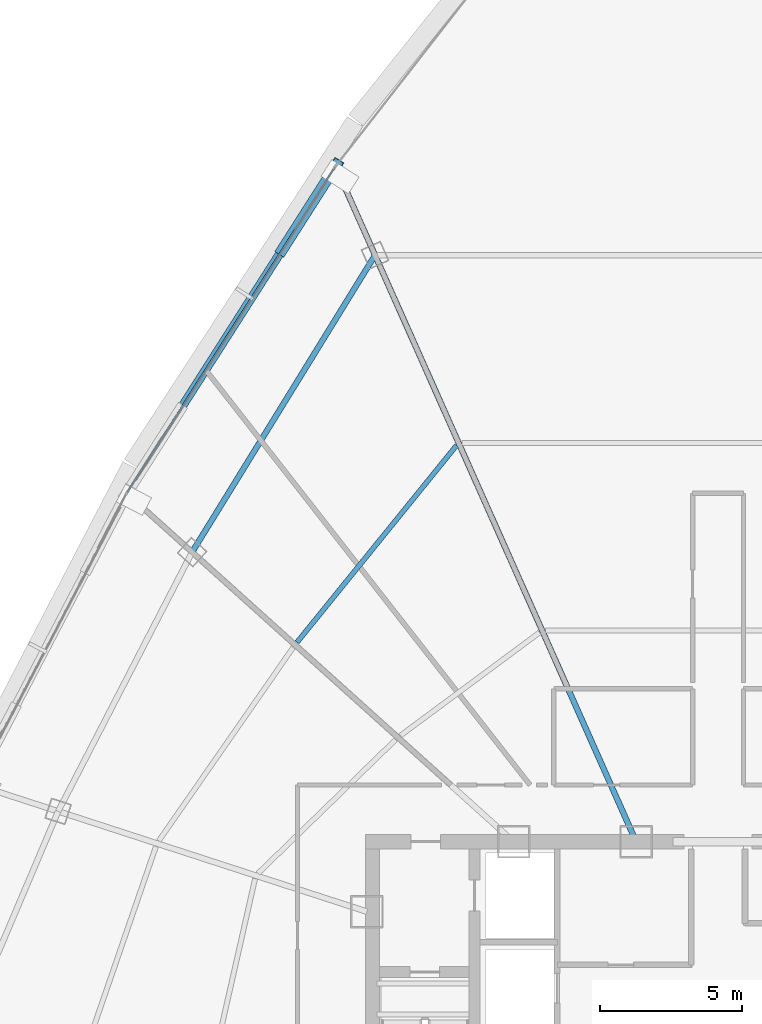
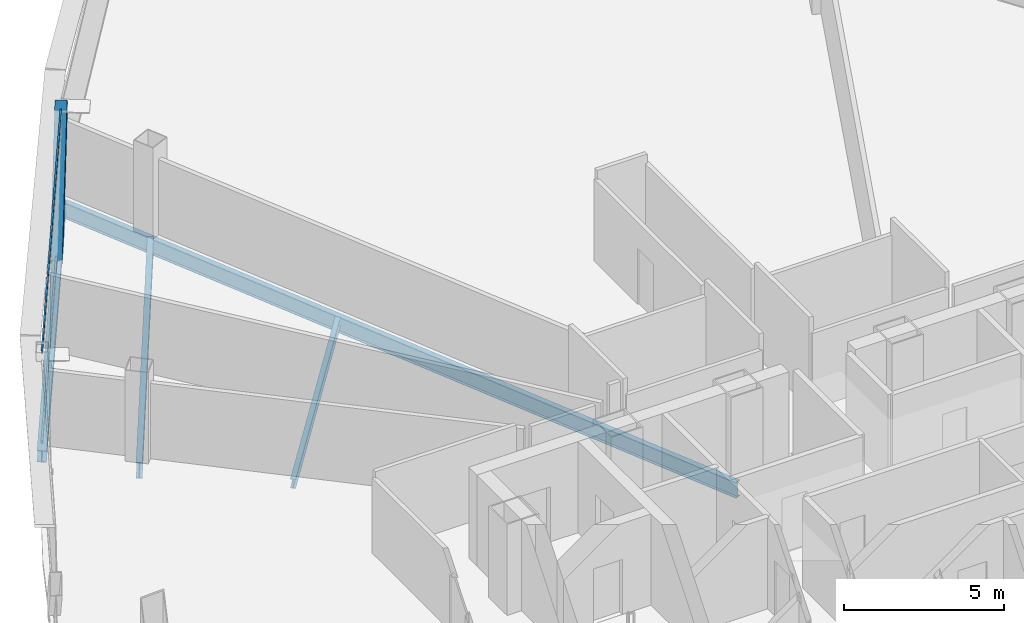
# One storey, part 19 of 39: 4 beams, 3 members, 1 element without a shape of its own.
"""IFC4 building model written with IfcOpenShell, lengths in metres."""

from ifc_helpers import new_model, si_unit, direction, frame, origin, origin_2d, place, context, subcontext, project, spatial, hollow_rectangle, i_section, extrude, source, transform, mapped, material, layer, layer_set, material_profile, profile_set, type_object, element, aggregate, save


model = new_model("IFC4")

# Units and contexts
model_context = context("Model", 3, precision=1e-05, world=origin(), true_north=direction((0.0, 1.0)))
body_context = subcontext(model_context, "Body", "Model", "MODEL_VIEW")
ifc_project = project(units=[si_unit("LENGTHUNIT", "METRE"), si_unit("AREAUNIT", "SQUARE_METRE"), si_unit("VOLUMEUNIT", "CUBIC_METRE"), si_unit("PLANEANGLEUNIT", "RADIAN"), si_unit("MASSUNIT", "GRAM", prefix="KILO"), si_unit("THERMODYNAMICTEMPERATUREUNIT", "KELVIN"), si_unit("POWERUNIT", "WATT")], contexts=[model_context])

# Site, building, storey
site_placement = place(None, origin())
site = spatial("IfcSite", under=ifc_project, at=site_placement, CompositionType="ELEMENT")
building_placement = place(site_placement, origin())
building = spatial("IfcBuilding", under=site, at=building_placement, Name="Yunzhuo Pagoda Commons", CompositionType="ELEMENT")
storey_placement = place(building_placement, frame((0.0, 0.0, 285.02001953125)))
storey = spatial("IfcBuildingStorey", under=building, at=storey_placement, Name="L71", CompositionType="ELEMENT", Elevation=285.02001953125)

# Beams
ifc_material_1 = material(Name="Structural steel Q355B", Category="steel")
ifc_material_profile_1 = material_profile(ifc_material_1, i_section(OverallWidth=0.300048828125, OverallDepth=0.43994140625, WebThickness=0.010986328125, FlangeThickness=0.01806640625, at=origin_2d()), Name="Structural steel Q355B")
ifc_profile_set_1 = profile_set([ifc_material_profile_1], Name="Structural steel Q355B")
beam_type_1 = type_object("IfcBeamType", Name="B-SP2 Beam HM 440x300x11x18", PredefinedType="BEAM", material=ifc_profile_set_1)
shared_shape_1 = source(origin(), body_context, "Body", "SweptSolid", [
    extrude(i_section(OverallWidth=0.300048828125, OverallDepth=0.43994140625, WebThickness=0.010986328125, FlangeThickness=0.01806640625, at=origin_2d()), origin(), (0.0, 0.0, 1.0), 13.696044921875),
])
beam_1_placement = place(storey_placement, frame((34.4892578125, 64.045654296875, -0.47998046875), z_axis=(-0.538249671817, -0.842785435795, 0.0), x_axis=(0.842785435795, -0.538249671817, 0.0)))
element("IfcBeam", 1, at=beam_1_placement, inside=storey, type_object=beam_type_1, Name="L71 facade edge spandrel beam F3.1", PredefinedType="BEAM", context=body_context, shape_type="MappedRepresentation", body=[
    mapped(shared_shape_1, transform((0.0, 0.0, 0.0), scale=1.0)),
])
ifc_material_profile_2 = material_profile(ifc_material_1, i_section(OverallWidth=0.199951171875, OverallDepth=0.60009765625, WebThickness=0.010986328125, FlangeThickness=0.01708984375, at=origin_2d()), Name="Structural steel Q355B")
ifc_profile_set_2 = profile_set([ifc_material_profile_2], Name="Structural steel Q355B")
beam_type_2 = type_object("IfcBeamType", Name="B-RG3 Beam HN 600x200x11x17", PredefinedType="BEAM", material=ifc_profile_set_2)
shared_shape_2 = source(origin(), body_context, "Body", "SweptSolid", [
    extrude(i_section(OverallWidth=0.199951171875, OverallDepth=0.60009765625, WebThickness=0.010986328125, FlangeThickness=0.01708984375, at=origin_2d()), origin(), (0.0, 0.0, 1.0), 25.947265625),
])
beam_2_placement = place(storey_placement, frame((34.55224609375, 63.904052734375, -0.56005859375), z_axis=(0.406735516134, -0.913545959389, 0.0), x_axis=(0.913545959389, 0.406735516134, 0.0)))
element("IfcBeam", 2, at=beam_2_placement, inside=storey, type_object=beam_type_2, Name="L71 radial floor girder F3C1", PredefinedType="BEAM", context=body_context, shape_type="MappedRepresentation", body=[
    mapped(shared_shape_2, transform((0.0, 0.0, 0.0), scale=1.0)),
])
shared_shape_3 = source(origin(), body_context, "Body", "SweptSolid", [
    extrude(i_section(OverallWidth=0.199951171875, OverallDepth=0.60009765625, WebThickness=0.010986328125, FlangeThickness=0.01708984375, at=origin_2d()), origin(), (0.0, 0.0, 1.0), 12.315185546875),
])
beam_3_placement = place(storey_placement, frame((35.8857421875, 60.9091796875, -0.56005859375), z_axis=(-0.524469015689, -0.851429534126, 0.0), x_axis=(0.851429534126, -0.524469015689, 0.0)))
element("IfcBeam", 3, at=beam_3_placement, inside=storey, type_object=beam_type_2, Name="L71 column-ring beam 9", PredefinedType="BEAM", context=body_context, shape_type="MappedRepresentation", body=[
    mapped(shared_shape_3, transform((0.0, 0.0, 0.0), scale=1.0)),
])
ifc_material_profile_3 = material_profile(ifc_material_1, i_section(OverallWidth=0.175048828125, OverallDepth=0.35009765625, WebThickness=0.007080078125, FlangeThickness=0.010986328125, at=origin_2d()), Name="Structural steel Q355B")
ifc_profile_set_3 = profile_set([ifc_material_profile_3], Name="Structural steel Q355B")
beam_type_3 = type_object("IfcBeamType", Name="B-JS2 Joist HN 350x175x7x11", PredefinedType="JOIST", material=ifc_profile_set_3)
shared_shape_4 = source(origin(), body_context, "Body", "SweptSolid", [
    extrude(i_section(OverallWidth=0.175048828125, OverallDepth=0.35009765625, WebThickness=0.007080078125, FlangeThickness=0.010986328125, at=origin_2d()), origin(), (0.0, 0.0, 1.0), 8.9462890625),
])
beam_4_placement = place(storey_placement, frame((38.763916015625, 54.19287109375, -0.43505859375), z_axis=(-0.629455685791, -0.777036382434, 0.0), x_axis=(0.777036382434, -0.629455685791, 0.0)))
element("IfcBeam", 4, at=beam_4_placement, inside=storey, type_object=beam_type_3, Name="L71 composite ring joist 2.9", PredefinedType="JOIST", context=body_context, shape_type="MappedRepresentation", body=[
    mapped(shared_shape_4, transform((0.0, 0.0, 0.0), scale=1.0)),
])

# Member
ifc_material_profile_4 = material_profile(ifc_material_1, hollow_rectangle(XDim=0.3798828125, YDim=0.719970703125, WallThickness=0.02001953125, at=origin_2d()), Name="Structural steel Q355B")
ifc_profile_set_4 = profile_set([ifc_material_profile_4], Name="Structural steel Q355B")
member_type_1 = type_object("IfcMemberType", Name="M-DL3 Brace BOX 720x380x20", PredefinedType="BRACE", material=ifc_profile_set_4)
shared_shape_5 = source(origin(), body_context, "Body", "SweptSolid", [
    extrude(hollow_rectangle(XDim=0.3798828125, YDim=0.719970703125, WallThickness=0.02001953125, at=origin_2d()), origin(), (0.0, 0.0, 1.0), 5.063232421875),
])
member_1_placement = place(storey_placement, frame((32.646240234375, 61.159912109375, -0.260009765625), z_axis=(0.363995553528, 0.569933427301, 0.736670296304), x_axis=(-0.842782513918, 0.538254246833, 0.0)))
element("IfcMember", 5, at=member_1_placement, inside=storey, type_object=member_type_1, Name="L71 facade diamond brace F3.1L", PredefinedType="BRACE", context=body_context, shape_type="MappedRepresentation", body=[
    mapped(shared_shape_5, transform((0.0, 0.0, 0.0), scale=1.0)),
])

# Curtain wall, members
ifc_material_2 = material(Name="Anodized aluminium 6063-T6", Category="aluminium")
ifc_layer = layer(ifc_material_2, 0.139892578125)
ifc_layer_set = layer_set([ifc_layer], Name="Anodized aluminium 6063-T6")
curtain_wall_type = type_object("IfcCurtainWallType", Name="CW-HI High-Zone Ribbon Curtain Wall", PredefinedType="NOTDEFINED", material=ifc_layer_set)
curtain_wall_placement = place(storey_placement, origin())
curtain_wall = element("IfcCurtainWall", 6, at=curtain_wall_placement, inside=storey, type_object=curtain_wall_type, Name="L71 curtain wall CW-L71-F3B2", PredefinedType="NOTDEFINED")
ifc_material_profile_5 = material_profile(ifc_material_2, hollow_rectangle(XDim=0.054931640625, YDim=0.1201171875, WallThickness=0.00341796875, at=origin_2d()), Name="Anodized aluminium 6063-T6")
ifc_profile_set_5 = profile_set([ifc_material_profile_5], Name="Anodized aluminium 6063-T6")
member_type_2 = type_object("IfcMemberType", Name="CW-HI-T Transom RHS 120x55x3.5", PredefinedType="USERDEFINED", material=ifc_profile_set_5)
shared_shape_6 = source(origin(), body_context, "Body", "SweptSolid", [
    extrude(hollow_rectangle(XDim=0.054931640625, YDim=0.1201171875, WallThickness=0.00341796875, at=origin_2d()), origin(), (0.0, 0.0, 1.0), 13.575927734375),
])
member_2_placement = place(storey_placement, frame((34.45703125, 63.9951171875, 0.027587890625), z_axis=(-0.538254824974, -0.84278214468, 0.0), x_axis=(0.84278214468, -0.538254824974, 0.0)))
member_2 = element("IfcMember", 7, at=member_2_placement, type_object=member_type_2, Name="CW transom 1.1", ObjectType="TRANSOM", PredefinedType="USERDEFINED", context=body_context, shape_type="MappedRepresentation", body=[
    mapped(shared_shape_6, transform((0.0, 0.0, 0.0), scale=1.0)),
])
member_3_placement = place(storey_placement, frame((34.45703125, 63.9951171875, 3.4423828125), z_axis=(-0.538254824974, -0.84278214468, 0.0), x_axis=(0.84278214468, -0.538254824974, 0.0)))
member_3 = element("IfcMember", 8, at=member_3_placement, type_object=member_type_2, Name="CW transom 1.2", ObjectType="TRANSOM", PredefinedType="USERDEFINED", context=body_context, shape_type="MappedRepresentation", body=[
    mapped(shared_shape_6, transform((0.0, 0.0, 0.0), scale=1.0)),
])
aggregate(curtain_wall, [member_2, member_3])

save(model, "model.ifc")
